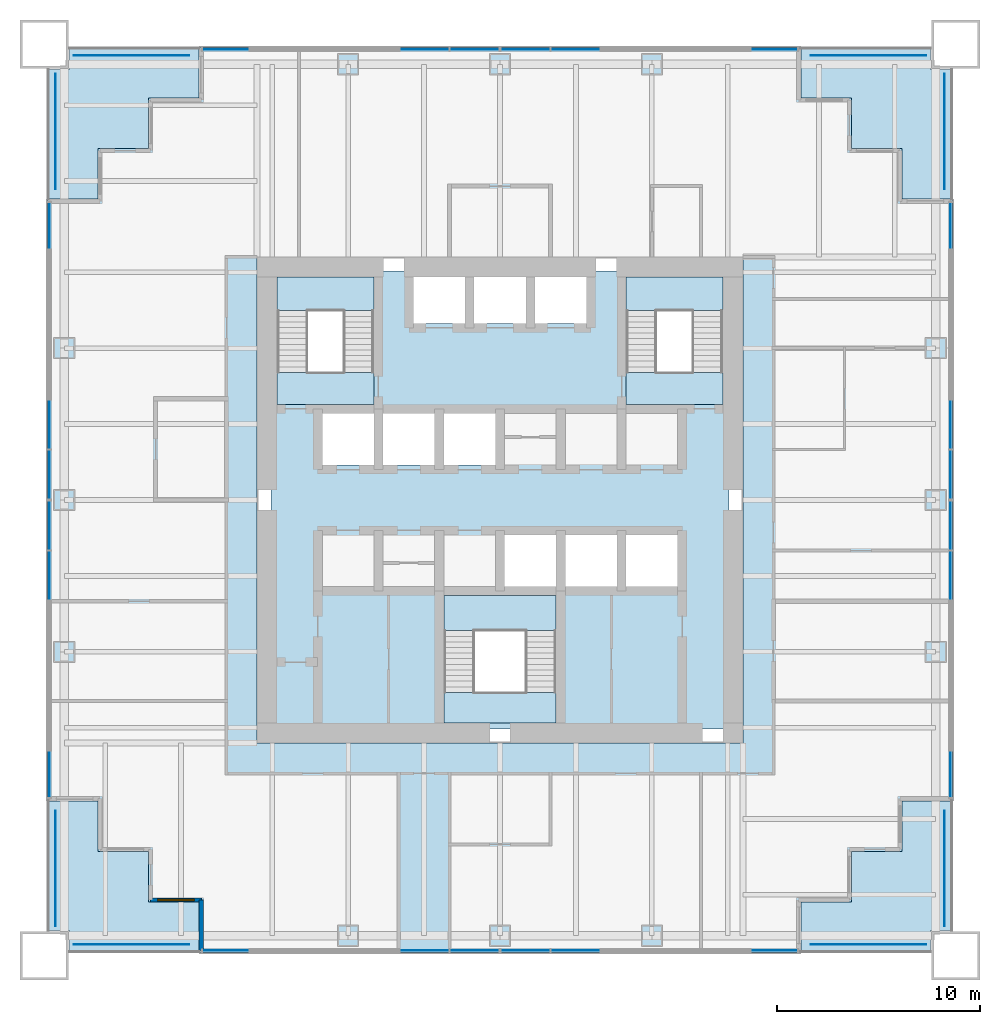
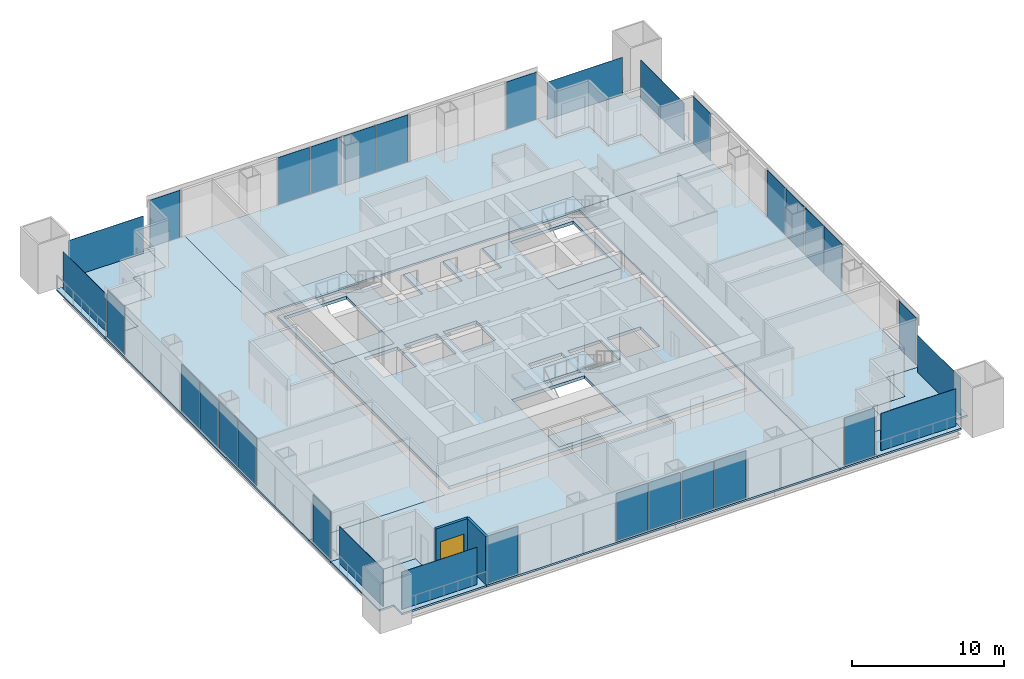
# One storey, part 7 of 13: 32 plates, 15 slabs, 2 walls, 1 window, 1 opening, 19 elements without a shape of their own.
"""IFC4 building model written with IfcOpenShell, lengths in metres."""

from ifc_helpers import new_model, si_unit, direction, frame, frame_2d, origin, origin_2d, place, context, subcontext, project, spatial, polyline, rectangle, outline, extrude, material, layer, layer_set, type_object, element, fill, aggregate, save


model = new_model("IFC4")

# Units and contexts
model_context = context("Model", 3, precision=1e-05, world=origin(), true_north=direction((0.0, 1.0)))
body_context = subcontext(model_context, "Body", "Model", "MODEL_VIEW")
ifc_project = project(units=[si_unit("LENGTHUNIT", "METRE"), si_unit("AREAUNIT", "SQUARE_METRE"), si_unit("VOLUMEUNIT", "CUBIC_METRE"), si_unit("PLANEANGLEUNIT", "RADIAN"), si_unit("MASSUNIT", "GRAM", prefix="KILO")], contexts=[model_context])

# Site, building, storey
site_placement = place(None, origin())
site = spatial("IfcSite", under=ifc_project, at=site_placement, CompositionType="ELEMENT")
building_placement = place(site_placement, origin())
building = spatial("IfcBuilding", under=site, at=building_placement, Name="Tarangal Relay Tower", CompositionType="ELEMENT")
storey_placement = place(building_placement, frame((0.0, 0.0, 201.89990234375)))
storey = spatial("IfcBuildingStorey", under=building, at=storey_placement, Name="L42", CompositionType="ELEMENT", Elevation=201.89990234375)

# Slabs
ifc_material_1 = material(Name="Concrete fc' 35 MPa", Category="concrete")
ifc_layer_1 = layer(ifc_material_1, 0.25)
ifc_layer_set_1 = layer_set([ifc_layer_1], Name="Core floor slab 250")
slab_type_1 = type_object("IfcSlabType", Name="Core floor slab 250", PredefinedType="FLOOR", material=ifc_layer_set_1)
slab_1_placement = place(storey_placement, frame((0.0, 0.0, -0.25)))
element("IfcSlab", 1, at=slab_1_placement, inside=storey, type_object=slab_type_1, Name="Core floor slab L42", PredefinedType="FLOOR", context=body_context, shape_type="SweptSolid", body=[
    extrude(outline(polyline([(11.300048828125, 11.300048828125), (11.300048828125, -11.300048828125), (-11.300048828125, -11.300048828125), (-11.300048828125, 11.300048828125), (-4.27490234375, 11.300048828125), (-4.27490234375, 8.72509765625), (-1.72509765625, 8.72509765625), (-1.72509765625, 11.300048828125), (-1.27490234375, 11.300048828125), (-1.27490234375, 8.72509765625), (1.27490234375, 8.72509765625), (1.27490234375, 11.300048828125), (1.72509765625, 11.300048828125), (1.72509765625, 8.72509765625), (4.27490234375, 8.72509765625), (4.27490234375, 11.300048828125), (11.300048828125, 11.300048828125)]), holes=[polyline([(-6.22509765625, 4.27490234375), (-8.77490234375, 4.27490234375), (-8.77490234375, 1.72509765625), (-6.22509765625, 1.72509765625), (-6.22509765625, 4.27490234375)]), polyline([(-3.22509765625, 1.72509765625), (-3.22509765625, 4.27490234375), (-5.77490234375, 4.27490234375), (-5.77490234375, 1.72509765625), (-3.22509765625, 1.72509765625)]), polyline([(-0.22509765625, 1.72509765625), (-0.22509765625, 4.27490234375), (-2.77490234375, 4.27490234375), (-2.77490234375, 1.72509765625), (-0.22509765625, 1.72509765625)]), polyline([(-6.22509765625, 11.0), (-11.0, 11.0), (-11.0, 4.72509765625), (-6.22509765625, 4.72509765625), (-6.22509765625, 11.0)]), polyline([(2.77490234375, -4.72509765625), (-2.77490234375, -4.72509765625), (-2.77490234375, -11.0), (2.77490234375, -11.0), (2.77490234375, -4.72509765625)]), polyline([(2.77490234375, -4.27490234375), (2.77490234375, -1.72509765625), (0.22509765625, -1.72509765625), (0.22509765625, -4.27490234375), (2.77490234375, -4.27490234375)]), polyline([(5.77490234375, -4.27490234375), (5.77490234375, -1.72509765625), (3.22509765625, -1.72509765625), (3.22509765625, -4.27490234375), (5.77490234375, -4.27490234375)]), polyline([(8.77490234375, -1.72509765625), (6.22509765625, -1.72509765625), (6.22509765625, -4.27490234375), (8.77490234375, -4.27490234375), (8.77490234375, -1.72509765625)]), polyline([(11.0, 4.72509765625), (11.0, 11.0), (6.22509765625, 11.0), (6.22509765625, 4.72509765625), (11.0, 4.72509765625)])]), origin(), (0.0, 0.0, 1.0), 0.25),
])
ifc_layer_2 = layer(ifc_material_1, 0.14990234375)
ifc_layer_set_2 = layer_set([ifc_layer_2], Name="Floor slab 150")
slab_type_2 = type_object("IfcSlabType", Name="Floor slab 150", PredefinedType="FLOOR", material=ifc_layer_set_2)
slab_2_placement = place(storey_placement, frame((0.0, 0.0, -0.14990234375)))
element("IfcSlab", 2, at=slab_2_placement, inside=storey, type_object=slab_type_2, Name="Floor slab FS3 L42 north bay", PredefinedType="FLOOR", context=body_context, shape_type="SweptSolid", body=[
    extrude(outline(polyline([(14.85009765625, 22.35009765625), (14.85009765625, 19.85009765625), (17.35009765625, 19.85009765625), (17.35009765625, 17.35009765625), (19.85009765625, 17.35009765625), (19.85009765625, 14.85009765625), (22.35009765625, 14.85009765625), (22.35009765625, 12.0), (-12.0, 12.0), (-12.0, 22.35009765625), (14.85009765625, 22.35009765625)])), origin(), (0.0, 0.0, 1.0), 0.14990234375),
])
slab_3_placement = place(storey_placement, frame((0.0, 0.0, -0.14990234375)))
element("IfcSlab", 3, at=slab_3_placement, inside=storey, type_object=slab_type_2, Name="Floor slab FS3 L42 east bay", PredefinedType="FLOOR", context=body_context, shape_type="SweptSolid", body=[
    extrude(outline(polyline([(22.35009765625, -14.85009765625), (19.85009765625, -14.85009765625), (19.85009765625, -17.35009765625), (17.35009765625, -17.35009765625), (17.35009765625, -19.85009765625), (14.85009765625, -19.85009765625), (14.85009765625, -22.35009765625), (12.0, -22.35009765625), (12.0, 12.0), (22.35009765625, 12.0), (22.35009765625, -14.85009765625)])), origin(), (0.0, 0.0, 1.0), 0.14990234375),
])
slab_4_placement = place(storey_placement, frame((0.0, 0.0, -0.14990234375)))
element("IfcSlab", 4, at=slab_4_placement, inside=storey, type_object=slab_type_2, Name="Floor slab FS3 L42 south bay", PredefinedType="FLOOR", context=body_context, shape_type="SweptSolid", body=[
    extrude(outline(polyline([(-14.85009765625, -22.35009765625), (-14.85009765625, -19.85009765625), (-17.35009765625, -19.85009765625), (-17.35009765625, -17.35009765625), (-19.85009765625, -17.35009765625), (-19.85009765625, -14.85009765625), (-22.35009765625, -14.85009765625), (-22.35009765625, -12.0), (12.0, -12.0), (12.0, -22.35009765625), (-14.85009765625, -22.35009765625)])), origin(), (0.0, 0.0, 1.0), 0.14990234375),
])
slab_5_placement = place(storey_placement, frame((0.0, 0.0, -0.14990234375)))
element("IfcSlab", 5, at=slab_5_placement, inside=storey, type_object=slab_type_2, Name="Floor slab FS3 L42 west bay", PredefinedType="FLOOR", context=body_context, shape_type="SweptSolid", body=[
    extrude(outline(polyline([(-12.0, 22.35009765625), (-12.0, -12.0), (-22.35009765625, -12.0), (-22.35009765625, 14.85009765625), (-19.85009765625, 14.85009765625), (-19.85009765625, 17.35009765625), (-17.35009765625, 17.35009765625), (-17.35009765625, 19.85009765625), (-14.85009765625, 19.85009765625), (-14.85009765625, 22.35009765625), (-12.0, 22.35009765625)])), origin(), (0.0, 0.0, 1.0), 0.14990234375),
])

# Curtain wall, plate
ifc_material_2 = material(Name="Unitised curtain wall, dark glass and black aluminium", Category="aluminium")
curtain_wall_type = type_object("IfcCurtainWallType", Name="Curtain wall CW-A", PredefinedType="USERDEFINED", material=ifc_material_2)
curtain_wall_1_placement = place(storey_placement, origin())
curtain_wall_1 = element("IfcCurtainWall", 6, at=curtain_wall_1_placement, inside=storey, type_object=curtain_wall_type, Name="Curtain wall CW-A N facade L42", ObjectType="UNITISED CURTAIN WALL", PredefinedType="USERDEFINED")
ifc_material_3 = material(Name="Dark tinted insulated glass unit", Category="glass")
ifc_layer_3 = layer(ifc_material_3, 0.031982421875)
ifc_layer_set_3 = layer_set([ifc_layer_3], Name="Glazed panel CW-A 32")
plate_type_1 = type_object("IfcPlateType", Name="Glazed panel CW-A 32", PredefinedType="CURTAIN_PANEL", material=ifc_layer_set_3)
plate_1_placement = place(storey_placement, frame((-13.541748046875, 22.25, 0.06494140625), z_axis=(0.0, 0.0, 1.0), x_axis=(1.0, 0.0, 0.0)))
plate_1 = element("IfcPlate", 7, at=plate_1_placement, type_object=plate_type_1, Name="CW-A panel 1.1", PredefinedType="CURTAIN_PANEL", context=body_context, shape_type="SweptSolid", body=[
    extrude(rectangle(XDim=2.28662109375, YDim=0.031982421875, at=origin_2d()), origin(), (0.0, 0.0, 1.0), 3.784912109375),
])
aggregate(curtain_wall_1, [plate_1])

# Curtain wall, plates
curtain_wall_2_placement = place(storey_placement, origin())
curtain_wall_2 = element("IfcCurtainWall", 8, at=curtain_wall_2_placement, inside=storey, type_object=curtain_wall_type, Name="Curtain wall CW-A N facade L42", ObjectType="UNITISED CURTAIN WALL", PredefinedType="USERDEFINED")
plate_2_placement = place(storey_placement, frame((-3.733642578125, 22.25, 0.06494140625), z_axis=(0.0, 0.0, 1.0), x_axis=(1.0, 0.0, 0.0)))
plate_2 = element("IfcPlate", 9, at=plate_2_placement, type_object=plate_type_1, Name="CW-A panel 1.1", PredefinedType="CURTAIN_PANEL", context=body_context, shape_type="SweptSolid", body=[
    extrude(rectangle(XDim=2.402587890625, YDim=0.031982421875, at=origin_2d()), origin(), (0.0, 0.0, 1.0), 3.784912109375),
])
plate_3_placement = place(storey_placement, frame((-1.266357421875, 22.25, 0.06494140625), z_axis=(0.0, 0.0, 1.0), x_axis=(1.0, 0.0, 0.0)))
plate_3 = element("IfcPlate", 10, at=plate_3_placement, type_object=plate_type_1, Name="CW-A panel 2.1", PredefinedType="CURTAIN_PANEL", context=body_context, shape_type="SweptSolid", body=[
    extrude(rectangle(XDim=2.402587890625, YDim=0.031982421875, at=origin_2d()), origin(), (0.0, 0.0, 1.0), 3.784912109375),
])
aggregate(curtain_wall_2, [plate_2, plate_3])

curtain_wall_3_placement = place(storey_placement, origin())
curtain_wall_3 = element("IfcCurtainWall", 11, at=curtain_wall_3_placement, inside=storey, type_object=curtain_wall_type, Name="Curtain wall CW-A N facade L42", ObjectType="UNITISED CURTAIN WALL", PredefinedType="USERDEFINED")
plate_4_placement = place(storey_placement, frame((1.266357421875, 22.25, 0.06494140625), z_axis=(0.0, 0.0, 1.0), x_axis=(1.0, 0.0, 0.0)))
plate_4 = element("IfcPlate", 12, at=plate_4_placement, type_object=plate_type_1, Name="CW-A panel 1.1", PredefinedType="CURTAIN_PANEL", context=body_context, shape_type="SweptSolid", body=[
    extrude(rectangle(XDim=2.402587890625, YDim=0.031982421875, at=origin_2d()), origin(), (0.0, 0.0, 1.0), 3.784912109375),
])
plate_5_placement = place(storey_placement, frame((3.733642578125, 22.25, 0.06494140625), z_axis=(0.0, 0.0, 1.0), x_axis=(1.0, 0.0, 0.0)))
plate_5 = element("IfcPlate", 13, at=plate_5_placement, type_object=plate_type_1, Name="CW-A panel 2.1", PredefinedType="CURTAIN_PANEL", context=body_context, shape_type="SweptSolid", body=[
    extrude(rectangle(XDim=2.402587890625, YDim=0.031982421875, at=origin_2d()), origin(), (0.0, 0.0, 1.0), 3.784912109375),
])
aggregate(curtain_wall_3, [plate_4, plate_5])

# Curtain wall, plate
curtain_wall_4_placement = place(storey_placement, origin())
curtain_wall_4 = element("IfcCurtainWall", 14, at=curtain_wall_4_placement, inside=storey, type_object=curtain_wall_type, Name="Curtain wall CW-A N facade L42", ObjectType="UNITISED CURTAIN WALL", PredefinedType="USERDEFINED")
plate_6_placement = place(storey_placement, frame((13.541748046875, 22.25, 0.06494140625), z_axis=(0.0, 0.0, 1.0), x_axis=(1.0, 0.0, 0.0)))
plate_6 = element("IfcPlate", 15, at=plate_6_placement, type_object=plate_type_1, Name="CW-A panel 1.1", PredefinedType="CURTAIN_PANEL", context=body_context, shape_type="SweptSolid", body=[
    extrude(rectangle(XDim=2.28662109375, YDim=0.031982421875, at=origin_2d()), origin(), (0.0, 0.0, 1.0), 3.784912109375),
])
aggregate(curtain_wall_4, [plate_6])

curtain_wall_5_placement = place(storey_placement, origin())
curtain_wall_5 = element("IfcCurtainWall", 16, at=curtain_wall_5_placement, inside=storey, type_object=curtain_wall_type, Name="Curtain wall CW-A E facade L42", ObjectType="UNITISED CURTAIN WALL", PredefinedType="USERDEFINED")
plate_7_placement = place(storey_placement, frame((22.25, 13.541748046875, 0.06494140625), z_axis=(0.0, 0.0, 1.0), x_axis=(0.0, -1.0, 0.0)))
plate_7 = element("IfcPlate", 17, at=plate_7_placement, type_object=plate_type_1, Name="CW-A panel 1.1", PredefinedType="CURTAIN_PANEL", context=body_context, shape_type="SweptSolid", body=[
    extrude(rectangle(XDim=2.28662109375, YDim=0.031982421875, at=origin_2d()), origin(), (0.0, 0.0, 1.0), 3.784912109375),
])
aggregate(curtain_wall_5, [plate_7])

# Curtain wall, plates
curtain_wall_6_placement = place(storey_placement, origin())
curtain_wall_6 = element("IfcCurtainWall", 18, at=curtain_wall_6_placement, inside=storey, type_object=curtain_wall_type, Name="Curtain wall CW-A E facade L42", ObjectType="UNITISED CURTAIN WALL", PredefinedType="USERDEFINED")
plate_8_placement = place(storey_placement, frame((22.25, 3.733642578125, 0.06494140625), z_axis=(0.0, 0.0, 1.0), x_axis=(0.0, -1.0, 0.0)))
plate_8 = element("IfcPlate", 19, at=plate_8_placement, type_object=plate_type_1, Name="CW-A panel 1.1", PredefinedType="CURTAIN_PANEL", context=body_context, shape_type="SweptSolid", body=[
    extrude(rectangle(XDim=2.402587890625, YDim=0.031982421875, at=origin_2d()), origin(), (0.0, 0.0, 1.0), 3.784912109375),
])
plate_9_placement = place(storey_placement, frame((22.25, 1.266357421875, 0.06494140625), z_axis=(0.0, 0.0, 1.0), x_axis=(0.0, -1.0, 0.0)))
plate_9 = element("IfcPlate", 20, at=plate_9_placement, type_object=plate_type_1, Name="CW-A panel 2.1", PredefinedType="CURTAIN_PANEL", context=body_context, shape_type="SweptSolid", body=[
    extrude(rectangle(XDim=2.402587890625, YDim=0.031982421875, at=origin_2d()), origin(), (0.0, 0.0, 1.0), 3.784912109375),
])
aggregate(curtain_wall_6, [plate_8, plate_9])

curtain_wall_7_placement = place(storey_placement, origin())
curtain_wall_7 = element("IfcCurtainWall", 21, at=curtain_wall_7_placement, inside=storey, type_object=curtain_wall_type, Name="Curtain wall CW-A E facade L42", ObjectType="UNITISED CURTAIN WALL", PredefinedType="USERDEFINED")
plate_10_placement = place(storey_placement, frame((22.25, -1.266357421875, 0.06494140625), z_axis=(0.0, 0.0, 1.0), x_axis=(0.0, -1.0, 0.0)))
plate_10 = element("IfcPlate", 22, at=plate_10_placement, type_object=plate_type_1, Name="CW-A panel 1.1", PredefinedType="CURTAIN_PANEL", context=body_context, shape_type="SweptSolid", body=[
    extrude(rectangle(XDim=2.402587890625, YDim=0.031982421875, at=origin_2d()), origin(), (0.0, 0.0, 1.0), 3.784912109375),
])
plate_11_placement = place(storey_placement, frame((22.25, -3.733642578125, 0.06494140625), z_axis=(0.0, 0.0, 1.0), x_axis=(0.0, -1.0, 0.0)))
plate_11 = element("IfcPlate", 23, at=plate_11_placement, type_object=plate_type_1, Name="CW-A panel 2.1", PredefinedType="CURTAIN_PANEL", context=body_context, shape_type="SweptSolid", body=[
    extrude(rectangle(XDim=2.402587890625, YDim=0.031982421875, at=origin_2d()), origin(), (0.0, 0.0, 1.0), 3.784912109375),
])
aggregate(curtain_wall_7, [plate_10, plate_11])

# Curtain wall, plate
curtain_wall_8_placement = place(storey_placement, origin())
curtain_wall_8 = element("IfcCurtainWall", 24, at=curtain_wall_8_placement, inside=storey, type_object=curtain_wall_type, Name="Curtain wall CW-A E facade L42", ObjectType="UNITISED CURTAIN WALL", PredefinedType="USERDEFINED")
plate_12_placement = place(storey_placement, frame((22.25, -13.541748046875, 0.06494140625), z_axis=(0.0, 0.0, 1.0), x_axis=(0.0, -1.0, 0.0)))
plate_12 = element("IfcPlate", 25, at=plate_12_placement, type_object=plate_type_1, Name="CW-A panel 1.1", PredefinedType="CURTAIN_PANEL", context=body_context, shape_type="SweptSolid", body=[
    extrude(rectangle(XDim=2.28662109375, YDim=0.031982421875, at=origin_2d()), origin(), (0.0, 0.0, 1.0), 3.784912109375),
])
aggregate(curtain_wall_8, [plate_12])

curtain_wall_9_placement = place(storey_placement, origin())
curtain_wall_9 = element("IfcCurtainWall", 26, at=curtain_wall_9_placement, inside=storey, type_object=curtain_wall_type, Name="Curtain wall CW-A S facade L42", ObjectType="UNITISED CURTAIN WALL", PredefinedType="USERDEFINED")
plate_13_placement = place(storey_placement, frame((13.541748046875, -22.25, 0.06494140625), z_axis=(0.0, 0.0, 1.0), x_axis=(-1.0, 0.0, 0.0)))
plate_13 = element("IfcPlate", 27, at=plate_13_placement, type_object=plate_type_1, Name="CW-A panel 1.1", PredefinedType="CURTAIN_PANEL", context=body_context, shape_type="SweptSolid", body=[
    extrude(rectangle(XDim=2.28662109375, YDim=0.031982421875, at=origin_2d()), origin(), (0.0, 0.0, 1.0), 3.784912109375),
])
aggregate(curtain_wall_9, [plate_13])

# Curtain wall, plates
curtain_wall_10_placement = place(storey_placement, origin())
curtain_wall_10 = element("IfcCurtainWall", 28, at=curtain_wall_10_placement, inside=storey, type_object=curtain_wall_type, Name="Curtain wall CW-A S facade L42", ObjectType="UNITISED CURTAIN WALL", PredefinedType="USERDEFINED")
plate_14_placement = place(storey_placement, frame((3.733642578125, -22.25, 0.06494140625), z_axis=(0.0, 0.0, 1.0), x_axis=(-1.0, 0.0, 0.0)))
plate_14 = element("IfcPlate", 29, at=plate_14_placement, type_object=plate_type_1, Name="CW-A panel 1.1", PredefinedType="CURTAIN_PANEL", context=body_context, shape_type="SweptSolid", body=[
    extrude(rectangle(XDim=2.402587890625, YDim=0.031982421875, at=origin_2d()), origin(), (0.0, 0.0, 1.0), 3.784912109375),
])
plate_15_placement = place(storey_placement, frame((1.266357421875, -22.25, 0.06494140625), z_axis=(0.0, 0.0, 1.0), x_axis=(-1.0, 0.0, 0.0)))
plate_15 = element("IfcPlate", 30, at=plate_15_placement, type_object=plate_type_1, Name="CW-A panel 2.1", PredefinedType="CURTAIN_PANEL", context=body_context, shape_type="SweptSolid", body=[
    extrude(rectangle(XDim=2.402587890625, YDim=0.031982421875, at=origin_2d()), origin(), (0.0, 0.0, 1.0), 3.784912109375),
])
aggregate(curtain_wall_10, [plate_14, plate_15])

curtain_wall_11_placement = place(storey_placement, origin())
curtain_wall_11 = element("IfcCurtainWall", 31, at=curtain_wall_11_placement, inside=storey, type_object=curtain_wall_type, Name="Curtain wall CW-A S facade L42", ObjectType="UNITISED CURTAIN WALL", PredefinedType="USERDEFINED")
plate_16_placement = place(storey_placement, frame((-1.266357421875, -22.25, 0.06494140625), z_axis=(0.0, 0.0, 1.0), x_axis=(-1.0, 0.0, 0.0)))
plate_16 = element("IfcPlate", 32, at=plate_16_placement, type_object=plate_type_1, Name="CW-A panel 1.1", PredefinedType="CURTAIN_PANEL", context=body_context, shape_type="SweptSolid", body=[
    extrude(rectangle(XDim=2.402587890625, YDim=0.031982421875, at=origin_2d()), origin(), (0.0, 0.0, 1.0), 3.784912109375),
])
plate_17_placement = place(storey_placement, frame((-3.733642578125, -22.25, 0.06494140625), z_axis=(0.0, 0.0, 1.0), x_axis=(-1.0, 0.0, 0.0)))
plate_17 = element("IfcPlate", 33, at=plate_17_placement, type_object=plate_type_1, Name="CW-A panel 2.1", PredefinedType="CURTAIN_PANEL", context=body_context, shape_type="SweptSolid", body=[
    extrude(rectangle(XDim=2.402587890625, YDim=0.031982421875, at=origin_2d()), origin(), (0.0, 0.0, 1.0), 3.784912109375),
])
aggregate(curtain_wall_11, [plate_16, plate_17])

# Curtain wall, plate
curtain_wall_12_placement = place(storey_placement, origin())
curtain_wall_12 = element("IfcCurtainWall", 34, at=curtain_wall_12_placement, inside=storey, type_object=curtain_wall_type, Name="Curtain wall CW-A S facade L42", ObjectType="UNITISED CURTAIN WALL", PredefinedType="USERDEFINED")
plate_18_placement = place(storey_placement, frame((-13.541748046875, -22.25, 0.06494140625), z_axis=(0.0, 0.0, 1.0), x_axis=(-1.0, 0.0, 0.0)))
plate_18 = element("IfcPlate", 35, at=plate_18_placement, type_object=plate_type_1, Name="CW-A panel 1.1", PredefinedType="CURTAIN_PANEL", context=body_context, shape_type="SweptSolid", body=[
    extrude(rectangle(XDim=2.28662109375, YDim=0.031982421875, at=origin_2d()), origin(), (0.0, 0.0, 1.0), 3.784912109375),
])
aggregate(curtain_wall_12, [plate_18])

curtain_wall_13_placement = place(storey_placement, origin())
curtain_wall_13 = element("IfcCurtainWall", 36, at=curtain_wall_13_placement, inside=storey, type_object=curtain_wall_type, Name="Curtain wall CW-A W facade L42", ObjectType="UNITISED CURTAIN WALL", PredefinedType="USERDEFINED")
plate_19_placement = place(storey_placement, frame((-22.25, -13.541748046875, 0.06494140625), z_axis=(0.0, 0.0, 1.0), x_axis=(0.0, 1.0, 0.0)))
plate_19 = element("IfcPlate", 37, at=plate_19_placement, type_object=plate_type_1, Name="CW-A panel 1.1", PredefinedType="CURTAIN_PANEL", context=body_context, shape_type="SweptSolid", body=[
    extrude(rectangle(XDim=2.28662109375, YDim=0.031982421875, at=origin_2d()), origin(), (0.0, 0.0, 1.0), 3.784912109375),
])
aggregate(curtain_wall_13, [plate_19])

# Curtain wall, plates
curtain_wall_14_placement = place(storey_placement, origin())
curtain_wall_14 = element("IfcCurtainWall", 38, at=curtain_wall_14_placement, inside=storey, type_object=curtain_wall_type, Name="Curtain wall CW-A W facade L42", ObjectType="UNITISED CURTAIN WALL", PredefinedType="USERDEFINED")
plate_20_placement = place(storey_placement, frame((-22.25, -3.733642578125, 0.06494140625), z_axis=(0.0, 0.0, 1.0), x_axis=(0.0, 1.0, 0.0)))
plate_20 = element("IfcPlate", 39, at=plate_20_placement, type_object=plate_type_1, Name="CW-A panel 1.1", PredefinedType="CURTAIN_PANEL", context=body_context, shape_type="SweptSolid", body=[
    extrude(rectangle(XDim=2.402587890625, YDim=0.031982421875, at=origin_2d()), origin(), (0.0, 0.0, 1.0), 3.784912109375),
])
plate_21_placement = place(storey_placement, frame((-22.25, -1.266357421875, 0.06494140625), z_axis=(0.0, 0.0, 1.0), x_axis=(0.0, 1.0, 0.0)))
plate_21 = element("IfcPlate", 40, at=plate_21_placement, type_object=plate_type_1, Name="CW-A panel 2.1", PredefinedType="CURTAIN_PANEL", context=body_context, shape_type="SweptSolid", body=[
    extrude(rectangle(XDim=2.402587890625, YDim=0.031982421875, at=origin_2d()), origin(), (0.0, 0.0, 1.0), 3.784912109375),
])
aggregate(curtain_wall_14, [plate_20, plate_21])

curtain_wall_15_placement = place(storey_placement, origin())
curtain_wall_15 = element("IfcCurtainWall", 41, at=curtain_wall_15_placement, inside=storey, type_object=curtain_wall_type, Name="Curtain wall CW-A W facade L42", ObjectType="UNITISED CURTAIN WALL", PredefinedType="USERDEFINED")
plate_22_placement = place(storey_placement, frame((-22.25, 1.266357421875, 0.06494140625), z_axis=(0.0, 0.0, 1.0), x_axis=(0.0, 1.0, 0.0)))
plate_22 = element("IfcPlate", 42, at=plate_22_placement, type_object=plate_type_1, Name="CW-A panel 1.1", PredefinedType="CURTAIN_PANEL", context=body_context, shape_type="SweptSolid", body=[
    extrude(rectangle(XDim=2.402587890625, YDim=0.031982421875, at=origin_2d()), origin(), (0.0, 0.0, 1.0), 3.784912109375),
])
plate_23_placement = place(storey_placement, frame((-22.25, 3.733642578125, 0.06494140625), z_axis=(0.0, 0.0, 1.0), x_axis=(0.0, 1.0, 0.0)))
plate_23 = element("IfcPlate", 43, at=plate_23_placement, type_object=plate_type_1, Name="CW-A panel 2.1", PredefinedType="CURTAIN_PANEL", context=body_context, shape_type="SweptSolid", body=[
    extrude(rectangle(XDim=2.402587890625, YDim=0.031982421875, at=origin_2d()), origin(), (0.0, 0.0, 1.0), 3.784912109375),
])
aggregate(curtain_wall_15, [plate_22, plate_23])

# Curtain wall, plate
curtain_wall_16_placement = place(storey_placement, origin())
curtain_wall_16 = element("IfcCurtainWall", 44, at=curtain_wall_16_placement, inside=storey, type_object=curtain_wall_type, Name="Curtain wall CW-A W facade L42", ObjectType="UNITISED CURTAIN WALL", PredefinedType="USERDEFINED")
plate_24_placement = place(storey_placement, frame((-22.25, 13.541748046875, 0.06494140625), z_axis=(0.0, 0.0, 1.0), x_axis=(0.0, 1.0, 0.0)))
plate_24 = element("IfcPlate", 45, at=plate_24_placement, type_object=plate_type_1, Name="CW-A panel 1.1", PredefinedType="CURTAIN_PANEL", context=body_context, shape_type="SweptSolid", body=[
    extrude(rectangle(XDim=2.28662109375, YDim=0.031982421875, at=origin_2d()), origin(), (0.0, 0.0, 1.0), 3.784912109375),
])
aggregate(curtain_wall_16, [plate_24])

# Plates
ifc_material_4 = material(Name="Black stainless steel cable trellis with climbing planting", Category="steel")
ifc_layer_4 = layer(ifc_material_4, 0.030029296875)
ifc_layer_set_4 = layer_set([ifc_layer_4], Name="Planted trellis screen")
plate_type_2 = type_object("IfcPlateType", Name="Planted trellis screen", PredefinedType="SHEET", material=ifc_layer_set_4)
for number, where, z_axis, x_axis, name in (
    (46, (21.949951171875, 18.199951171875, 0.0), (0.0, 0.0, 1.0), (0.0, -1.0, 0.0), "Planted trellis SC2 NE L42"),
    (47, (18.199951171875, -21.949951171875, 0.0), (0.0, 0.0, 1.0), (-1.0, 0.0, 0.0), "Planted trellis SC2 SE L42"),
    (48, (-21.949951171875, -18.199951171875, 0.0), (0.0, 0.0, 1.0), (0.0, 1.0, 0.0), "Planted trellis SC2 SW L42"),
    (49, (-18.199951171875, 21.949951171875, 0.0), (0.0, 0.0, 1.0), (1.0, 0.0, 0.0), "Planted trellis SC2 NW L42"),
):
    element("IfcPlate", number, at=place(storey_placement, frame(where, z_axis=z_axis, x_axis=x_axis)), inside=storey, type_object=plate_type_2, Name=name, PredefinedType="SHEET", context=body_context, shape_type="SweptSolid", body=[
        extrude(rectangle(XDim=5.699951171875, YDim=0.030029296875, at=origin_2d()), origin(), (0.0, 0.0, 1.0), 3.0),
    ])

# Stair, slabs
ifc_material_5 = material(Name="Steel ASTM A992 stair flight", Category="steel")
stair_type = type_object("IfcStairType", Name="Core stair 1500", PredefinedType="HALF_TURN_STAIR", material=ifc_material_5)
stair_1_placement = place(storey_placement, origin())
stair_1 = element("IfcStair", 50, at=stair_1_placement, inside=storey, type_object=stair_type, Name="Stair ST-A L42", PredefinedType="HALF_TURN_STAIR")
ifc_layer_5 = layer(ifc_material_1, 0.199951171875)
ifc_layer_set_5 = layer_set([ifc_layer_5], Name="Stair landing 200")
slab_type_3 = type_object("IfcSlabType", Name="Stair landing 200", PredefinedType="LANDING", material=ifc_layer_set_5)
slab_6_placement = place(storey_placement, frame((0.0, 0.0, -0.199951171875)))
slab_6 = element("IfcSlab", 51, at=slab_6_placement, type_object=slab_type_3, Name="ST-A landing 1", PredefinedType="LANDING", context=body_context, shape_type="SweptSolid", body=[
    extrude(outline(polyline([(-11.0, 4.72509765625), (-6.22509765625, 4.72509765625), (-6.22509765625, 6.300048828125), (-11.0, 6.300048828125), (-11.0, 4.72509765625)])), origin(), (0.0, 0.0, 1.0), 0.199951171875),
])
slab_7_placement = place(storey_placement, frame((0.0, 0.0, 1.800048828125)))
slab_7 = element("IfcSlab", 52, at=slab_7_placement, type_object=slab_type_3, Name="ST-A landing 2", PredefinedType="LANDING", context=body_context, shape_type="SweptSolid", body=[
    extrude(outline(polyline([(-11.0, 9.346923828125), (-6.22509765625, 9.346923828125), (-6.22509765625, 11.0), (-11.0, 11.0), (-11.0, 9.346923828125)])), origin(), (0.0, 0.0, 1.0), 0.199951171875),
])
aggregate(stair_1, [slab_6, slab_7])

stair_2_placement = place(storey_placement, origin())
stair_2 = element("IfcStair", 53, at=stair_2_placement, inside=storey, type_object=stair_type, Name="Stair ST-B L42", PredefinedType="HALF_TURN_STAIR")
slab_8_placement = place(storey_placement, frame((0.0, 0.0, -0.199951171875)))
slab_8 = element("IfcSlab", 54, at=slab_8_placement, type_object=slab_type_3, Name="ST-B landing 1", PredefinedType="LANDING", context=body_context, shape_type="SweptSolid", body=[
    extrude(outline(polyline([(6.22509765625, 4.72509765625), (11.0, 4.72509765625), (11.0, 6.300048828125), (6.22509765625, 6.300048828125), (6.22509765625, 4.72509765625)])), origin(), (0.0, 0.0, 1.0), 0.199951171875),
])
slab_9_placement = place(storey_placement, frame((0.0, 0.0, 1.800048828125)))
slab_9 = element("IfcSlab", 55, at=slab_9_placement, type_object=slab_type_3, Name="ST-B landing 2", PredefinedType="LANDING", context=body_context, shape_type="SweptSolid", body=[
    extrude(outline(polyline([(6.22509765625, 9.346923828125), (11.0, 9.346923828125), (11.0, 11.0), (6.22509765625, 11.0), (6.22509765625, 9.346923828125)])), origin(), (0.0, 0.0, 1.0), 0.199951171875),
])
aggregate(stair_2, [slab_8, slab_9])

stair_3_placement = place(storey_placement, origin())
stair_3 = element("IfcStair", 56, at=stair_3_placement, inside=storey, type_object=stair_type, Name="Stair ST-C L42", PredefinedType="HALF_TURN_STAIR")
slab_10_placement = place(storey_placement, frame((0.0, 0.0, -0.199951171875)))
slab_10 = element("IfcSlab", 57, at=slab_10_placement, type_object=slab_type_3, Name="ST-C landing 1", PredefinedType="LANDING", context=body_context, shape_type="SweptSolid", body=[
    extrude(outline(polyline([(-2.77490234375, -11.0), (2.77490234375, -11.0), (2.77490234375, -9.5), (-2.77490234375, -9.5), (-2.77490234375, -11.0)])), origin(), (0.0, 0.0, 1.0), 0.199951171875),
])
slab_11_placement = place(storey_placement, frame((0.0, 0.0, 1.800048828125)))
slab_11 = element("IfcSlab", 58, at=slab_11_placement, type_object=slab_type_3, Name="ST-C landing 2", PredefinedType="LANDING", context=body_context, shape_type="SweptSolid", body=[
    extrude(outline(polyline([(-2.77490234375, -6.452880859375), (2.77490234375, -6.452880859375), (2.77490234375, -4.72509765625), (-2.77490234375, -4.72509765625), (-2.77490234375, -6.452880859375)])), origin(), (0.0, 0.0, 1.0), 0.199951171875),
])
aggregate(stair_3, [slab_10, slab_11])

# Plates
ifc_material_6 = material(Name="Perforated black aluminium screen", Category="aluminium")
ifc_layer_6 = layer(ifc_material_6, 0.02001953125)
ifc_layer_set_6 = layer_set([ifc_layer_6], Name="Terrace screen panel")
plate_type_3 = type_object("IfcPlateType", Name="Terrace screen panel", PredefinedType="SHEET", material=ifc_layer_set_6)
for number, where, z_axis, x_axis, name in (
    (59, (18.199951171875, 21.949951171875, 0.0), (0.0, 0.0, 1.0), (1.0, 0.0, 0.0), "Terrace screen SC1 NE L42"),
    (60, (21.949951171875, -18.199951171875, 0.0), (0.0, 0.0, 1.0), (0.0, -1.0, 0.0), "Terrace screen SC1 SE L42"),
    (61, (-18.199951171875, -21.949951171875, 0.0), (0.0, 0.0, 1.0), (-1.0, 0.0, 0.0), "Terrace screen SC1 SW L42"),
    (62, (-21.949951171875, 18.199951171875, 0.0), (0.0, 0.0, 1.0), (0.0, 1.0, 0.0), "Terrace screen SC1 NW L42"),
):
    element("IfcPlate", number, at=place(storey_placement, frame(where, z_axis=z_axis, x_axis=x_axis)), inside=storey, type_object=plate_type_3, Name=name, PredefinedType="SHEET", context=body_context, shape_type="SweptSolid", body=[
        extrude(rectangle(XDim=5.699951171875, YDim=0.02001953125, at=origin_2d()), origin(), (0.0, 0.0, 1.0), 3.0),
    ])

# Slabs
ifc_layer_7 = layer(ifc_material_1, 0.14990234375)
ifc_layer_set_7 = layer_set([ifc_layer_7], Name="Terrace slab 150")
slab_type_4 = type_object("IfcSlabType", Name="Terrace slab 150", PredefinedType="FLOOR", material=ifc_layer_set_7)
slab_12_placement = place(storey_placement, frame((0.0, 0.0, -0.14990234375)))
element("IfcSlab", 63, at=slab_12_placement, inside=storey, type_object=slab_type_4, Name="Corner terrace NE L42", PredefinedType="FLOOR", context=body_context, shape_type="SweptSolid", body=[
    extrude(outline(polyline([(14.85009765625, 22.35009765625), (14.85009765625, 19.85009765625), (17.35009765625, 19.85009765625), (17.35009765625, 17.35009765625), (19.85009765625, 17.35009765625), (19.85009765625, 14.85009765625), (22.35009765625, 14.85009765625), (22.35009765625, 21.25), (21.25, 21.25), (21.25, 22.35009765625), (14.85009765625, 22.35009765625)])), origin(), (0.0, 0.0, 1.0), 0.14990234375),
])
slab_13_placement = place(storey_placement, frame((0.0, 0.0, -0.14990234375)))
element("IfcSlab", 64, at=slab_13_placement, inside=storey, type_object=slab_type_4, Name="Corner terrace SE L42", PredefinedType="FLOOR", context=body_context, shape_type="SweptSolid", body=[
    extrude(outline(polyline([(22.35009765625, -14.85009765625), (19.85009765625, -14.85009765625), (19.85009765625, -17.35009765625), (17.35009765625, -17.35009765625), (17.35009765625, -19.85009765625), (14.85009765625, -19.85009765625), (14.85009765625, -22.35009765625), (21.25, -22.35009765625), (21.25, -21.25), (22.35009765625, -21.25), (22.35009765625, -14.85009765625)])), origin(), (0.0, 0.0, 1.0), 0.14990234375),
])
slab_14_placement = place(storey_placement, frame((0.0, 0.0, -0.14990234375)))
element("IfcSlab", 65, at=slab_14_placement, inside=storey, type_object=slab_type_4, Name="Corner terrace SW L42", PredefinedType="FLOOR", context=body_context, shape_type="SweptSolid", body=[
    extrude(outline(polyline([(-14.85009765625, -22.35009765625), (-14.85009765625, -19.85009765625), (-17.35009765625, -19.85009765625), (-17.35009765625, -17.35009765625), (-19.85009765625, -17.35009765625), (-19.85009765625, -14.85009765625), (-22.35009765625, -14.85009765625), (-22.35009765625, -21.25), (-21.25, -21.25), (-21.25, -22.35009765625), (-14.85009765625, -22.35009765625)])), origin(), (0.0, 0.0, 1.0), 0.14990234375),
])
slab_15_placement = place(storey_placement, frame((0.0, 0.0, -0.14990234375)))
element("IfcSlab", 66, at=slab_15_placement, inside=storey, type_object=slab_type_4, Name="Corner terrace NW L42", PredefinedType="FLOOR", context=body_context, shape_type="SweptSolid", body=[
    extrude(outline(polyline([(-22.35009765625, 14.85009765625), (-19.85009765625, 14.85009765625), (-19.85009765625, 17.35009765625), (-17.35009765625, 17.35009765625), (-17.35009765625, 19.85009765625), (-14.85009765625, 19.85009765625), (-14.85009765625, 22.35009765625), (-21.25, 22.35009765625), (-21.25, 21.25), (-22.35009765625, 21.25), (-22.35009765625, 14.85009765625)])), origin(), (0.0, 0.0, 1.0), 0.14990234375),
])

# Wall
ifc_material_7 = material(Name="Black metal clad insulated wall", Category="steel")
ifc_layer_8 = layer(ifc_material_7, 0.199951171875)
ifc_layer_set_8 = layer_set([ifc_layer_8], Name="Corner wall metal clad 200")
wall_type = type_object("IfcWallType", Name="Corner wall metal clad 200", PredefinedType="SOLIDWALL", material=ifc_layer_set_8)
wall_1_placement = place(storey_placement, frame((-14.75, -22.25, 0.0), z_axis=(0.0, 0.0, 1.0), x_axis=(0.0, 1.0, 0.0)))
element("IfcWall", 67, at=wall_1_placement, inside=storey, type_object=wall_type, Name="Facade wall S facade L42", PredefinedType="SOLIDWALL", context=body_context, shape_type="SweptSolid", body=[
    extrude(rectangle(XDim=2.5, YDim=0.199951171875, at=frame_2d((1.25, 0.0))), origin(), (0.0, 0.0, 1.0), 3.85009765625),
])

# Wall, opening, window
wall_2_placement = place(storey_placement, frame((-14.75, -19.75, 0.0), z_axis=(0.0, 0.0, 1.0), x_axis=(-1.0, 0.0, 0.0)))
wall_2 = element("IfcWall", 68, at=wall_2_placement, inside=storey, type_object=wall_type, Name="Facade wall S facade L42", PredefinedType="SOLIDWALL", context=body_context, shape_type="SweptSolid", body=[
    extrude(rectangle(XDim=2.5, YDim=0.199951171875, at=frame_2d((1.25, 0.0))), origin(), (0.0, 0.0, 1.0), 3.85009765625),
])
opening_placement = place(wall_2_placement, frame((0.35009765625, 0.0, 0.300048828125)))
opening = element("IfcOpeningElement", 69, at=opening_placement, cuts=wall_2, Name="Opening WN2", PredefinedType="OPENING", context=body_context, shape_type="SweptSolid", body=[
    extrude(rectangle(XDim=1.800048828125, YDim=2.39990234375, at=frame_2d((0.89990234375, 1.199951171875))), frame((0.0, 0.10986328125, 0.0), z_axis=(0.0, -1.0, 0.0), x_axis=(1.0, 0.0, 0.0)), (0.0, 0.0, 1.0), 0.219970703125),
])
ifc_material_8 = material(Name="Dark tinted double glazing in black aluminium frame", Category="aluminium")
window_type = type_object("IfcWindowType", Name="Corner window 1800 x 2400", PartitioningType="SINGLE_PANEL", PredefinedType="WINDOW", material=ifc_material_8)
window_placement = place(opening_placement, origin())
window = element("IfcWindow", 70, at=window_placement, inside=storey, type_object=window_type, Name="Corner window WN2 S facade L42", OverallHeight=2.39990234375, OverallWidth=1.800048828125, PartitioningType="SINGLE_PANEL", PredefinedType="WINDOW", context=body_context, shape_type="SweptSolid", body=[
    extrude(rectangle(XDim=1.800048828125, YDim=2.39990234375, at=frame_2d((0.89990234375, 1.199951171875))), frame((0.0, 0.030029296875, 0.0), z_axis=(0.0, -1.0, 0.0), x_axis=(1.0, 0.0, 0.0)), (0.0, 0.0, 1.0), 0.06005859375),
])
fill(opening, window)

save(model, "model.ifc")
